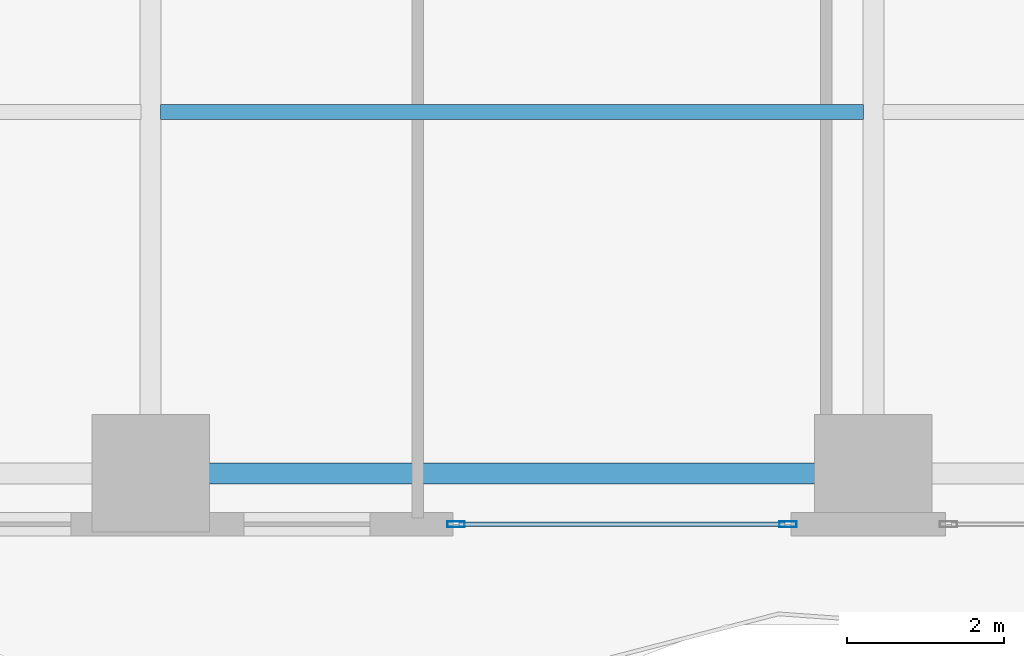
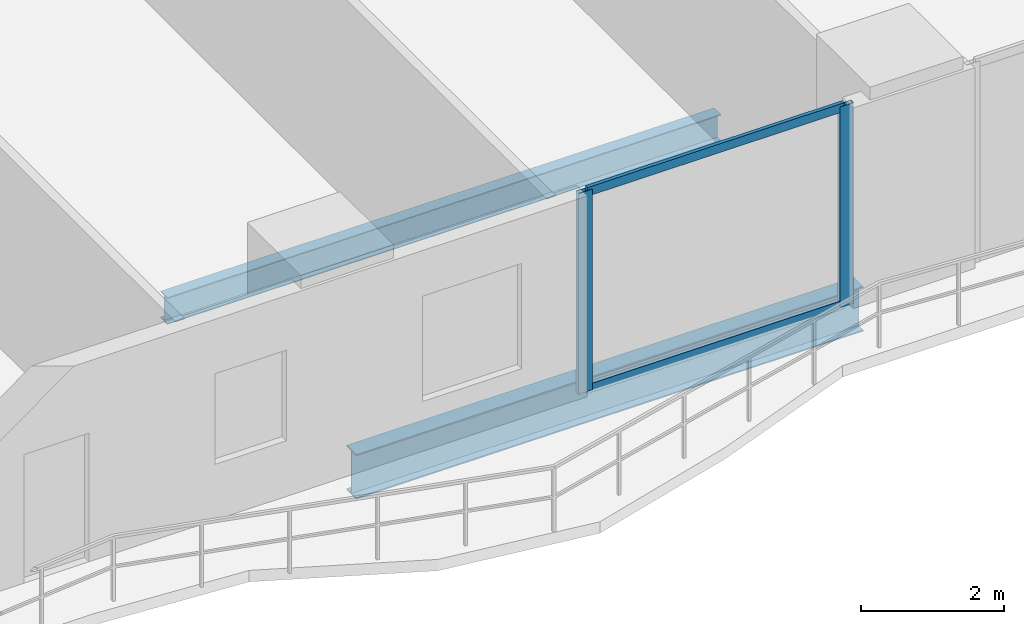
# One storey, part 4 of 28: 4 members, 2 beams, 1 element without a shape of its own.
"""IFC4 building model written with IfcOpenShell, lengths in metres."""

import ifcopenshell
import ifcopenshell.guid

model = None  # the IFC model being written
_history = None  # IfcOwnerHistory: only IFC2X3 demands one
_inside = {}  # id of a spatial element -> (the spatial element, [elements in it])
_under = {}  # id of a project, library or spatial element -> (it, [spatial elements below it])
_declared = {}  # id of a project -> (the project, [libraries it declares])
_typed = {}  # id of a type object -> (the type object, [elements of that type])
_made_of = {}  # id of a material, layer set ... -> (it, [elements and type objects made of it])


def new_model(schema):
    """Start an empty IFC model of exactly this schema.

    Asked for "IFC4X3", IfcOpenShell would pick the latest addendum, in which some entities
    have other attributes; the version numbers below select the first issue.
    IFC2X3 requires an IfcOwnerHistory on every rooted entity: one is made here for all.
    """
    global model, _history
    if schema == "IFC4X3":
        model = ifcopenshell.file(schema_version=(4, 3, 0, 0))
    else:
        model = ifcopenshell.file(schema=schema)
    _inside.clear()
    _under.clear()
    _declared.clear()
    _typed.clear()
    _made_of.clear()
    _history = None
    if model.schema == "IFC2X3":
        org = make("IfcOrganization", Name="unknown")
        user = make(
            "IfcPersonAndOrganization",
            ThePerson=make("IfcPerson", FamilyName="unknown"),
            TheOrganization=org,
        )
        app = make(
            "IfcApplication",
            ApplicationDeveloper=org,
            Version="unknown",
            ApplicationFullName="unknown",
            ApplicationIdentifier="unknown",
        )
        _history = make(
            "IfcOwnerHistory",
            OwningUser=user,
            OwningApplication=app,
            ChangeAction="ADDED",
            CreationDate=0,
        )
    return model


def make(cls, **values):
    """One entity of the class cls with the attributes given. An attribute that is None is left unset."""
    return model.create_entity(
        cls, **{name: value for name, value in values.items() if value is not None}
    )


def rooted(cls, **values):
    """An entity with a GlobalId (a new one), such as an element, a storey or a relation."""
    return make(cls, GlobalId=ifcopenshell.guid.new(), OwnerHistory=_history, **values)


def si_unit(unit_type, name, prefix=None):
    """IfcSIUnit, for example si_unit("LENGTHUNIT", "METRE", prefix="MILLI")."""
    return make("IfcSIUnit", UnitType=unit_type, Prefix=prefix, Name=name)


def assignment(units):
    """IfcUnitAssignment: the units of a project."""
    return None if units is None else make("IfcUnitAssignment", Units=units)


def point(xyz):
    """IfcCartesianPoint."""
    return None if xyz is None else make("IfcCartesianPoint", Coordinates=xyz)


def direction(xyz):
    """IfcDirection."""
    return None if xyz is None else make("IfcDirection", DirectionRatios=xyz)


def frame(location, z_axis=None, x_axis=None):
    """IfcAxis2Placement3D, a coordinate frame: its origin and axes. An axis left out is left unset."""
    return make(
        "IfcAxis2Placement3D",
        Location=point(location),
        Axis=direction(z_axis),
        RefDirection=direction(x_axis),
    )


def frame_2d(location, x_axis=None):
    """IfcAxis2Placement2D, a coordinate frame in the plane: its origin and x axis."""
    return make(
        "IfcAxis2Placement2D", Location=point(location), RefDirection=direction(x_axis)
    )


def origin():
    """The frame at (0, 0, 0) with its axes left unset."""
    return frame((0.0, 0.0, 0.0))


def origin_2d():
    """The frame at (0, 0) in the plane with its x axis left unset."""
    return frame_2d((0.0, 0.0))


def place(relative_to, where):
    """IfcLocalPlacement: puts the frame where relative to a parent placement (None: the world)."""
    return make(
        "IfcLocalPlacement", PlacementRelTo=relative_to, RelativePlacement=where
    )


def context(
    kind, dimensions, precision=None, world=None, true_north=None, identifier=None
):
    """IfcGeometricRepresentationContext, for example the 3D "Model" context."""
    return make(
        "IfcGeometricRepresentationContext",
        ContextIdentifier=identifier,
        ContextType=kind,
        CoordinateSpaceDimension=dimensions,
        Precision=precision,
        WorldCoordinateSystem=world,
        TrueNorth=true_north,
    )


def subcontext(parent, identifier, kind, view, scale=None):
    """IfcGeometricRepresentationSubContext, for example "Body" below "Model"."""
    return make(
        "IfcGeometricRepresentationSubContext",
        ContextIdentifier=identifier,
        ContextType=kind,
        ParentContext=parent,
        TargetScale=scale,
        TargetView=view,
    )


def project(units=None, contexts=None):
    """IfcProject with its units and contexts."""
    return rooted(
        "IfcProject",
        Name="project",
        RepresentationContexts=contexts,
        UnitsInContext=assignment(units),
    )


def spatial(cls, under=None, at=None, **own):
    """A site, building, storey or space (cls), placed at a placement, below another one or the project."""
    s = rooted(cls, ObjectPlacement=at, **own)
    if under is not None:
        _under.setdefault(under.id(), (under, []))[1].append(s)
    return s


def profile(cls, at=None, kind="AREA", **sizes):
    """A parametric profile (cls). Its sizes go by their IFC names, for example OverallWidth=200.0."""
    return make(cls, ProfileType=kind, Position=at, **sizes)


def hollow_rectangle(**sizes):
    """IfcRectangleHollowProfileDef."""
    return profile("IfcRectangleHollowProfileDef", **sizes)


def i_section(**sizes):
    """IfcIShapeProfileDef."""
    return profile("IfcIShapeProfileDef", **sizes)


def extrude(swept, where, along, depth):
    """IfcExtrudedAreaSolid: the profile swept, set in the frame where, extruded along a direction by depth."""
    return make(
        "IfcExtrudedAreaSolid",
        SweptArea=swept,
        Position=where,
        ExtrudedDirection=direction(along),
        Depth=depth,
    )


def shape(context_of_items, identifier, shape_type, items):
    """IfcShapeRepresentation: the items that make up one representation, for example the "Body"."""
    return make(
        "IfcShapeRepresentation",
        ContextOfItems=context_of_items,
        RepresentationIdentifier=identifier,
        RepresentationType=shape_type,
        Items=items,
    )


def material(Name=None, Category=None):
    """IfcMaterial."""
    return make("IfcMaterial", Name=Name, Category=Category)


def layer(
    of_material, thickness, ventilated=None, Name=None, Category=None, Priority=None
):
    """IfcMaterialLayer: one layer of a wall or slab, of a material (None: an air gap)."""
    return make(
        "IfcMaterialLayer",
        Material=of_material,
        LayerThickness=thickness,
        IsVentilated=ventilated,
        Name=Name,
        Category=Category,
        Priority=Priority,
    )


def layer_set(layers, Name=None):
    """IfcMaterialLayerSet."""
    return make("IfcMaterialLayerSet", MaterialLayers=layers, LayerSetName=Name)


def material_profile(
    of_material, cross_section, Name=None, Category=None, Priority=None
):
    """IfcMaterialProfile: a cross section and its material."""
    return make(
        "IfcMaterialProfile",
        Name=Name,
        Material=of_material,
        Profile=cross_section,
        Priority=Priority,
        Category=Category,
    )


def profile_set(profiles, Name=None, composite=None):
    """IfcMaterialProfileSet."""
    return make(
        "IfcMaterialProfileSet",
        Name=Name,
        MaterialProfiles=profiles,
        CompositeProfile=composite,
    )


def made_of(thing, what):
    """Note that an element or type object is made of a material, layer set ...; save() writes the relation."""
    if what is not None:
        _made_of.setdefault(what.id(), (what, []))[1].append(thing)
    return thing


def type_object(cls, material=None, **own):
    """A type object (cls), such as IfcWallType, which elements share."""
    return made_of(rooted(cls, **own), material)


def element(
    cls,
    number,
    at=None,
    inside=None,
    cuts=None,
    type_object=None,
    material=None,
    context=None,
    identifier="Body",
    shape_type=None,
    held_by="IfcProductDefinitionShape",
    body=None,
    shapes=None,
    **own,
):
    """One element of the class cls, such as IfcWall. Its Tag is "e" and its number.

    at: its placement. inside: the storey or other place that contains it. cuts: it is an
    opening in that element (IfcRelVoidsElement). A single representation is given by context,
    identifier, shape_type and body (its items); several are given by shapes. held_by: the class
    of the entity that holds the representations. save() writes the other relations.
    """
    e = rooted(cls, Tag="e%d" % number, ObjectPlacement=at, **own)
    if body is not None:
        shapes = [shape(context, identifier, shape_type, body)]
    if shapes is not None:
        e.Representation = make(held_by, Representations=shapes)
    if inside is not None:
        _inside.setdefault(inside.id(), (inside, []))[1].append(e)
    if cuts is not None:
        rooted(
            "IfcRelVoidsElement", RelatingBuildingElement=cuts, RelatedOpeningElement=e
        )
    if type_object is not None:
        _typed.setdefault(type_object.id(), (type_object, []))[1].append(e)
    return made_of(e, material)


def aggregate(whole, parts):
    """IfcRelAggregates: a whole, such as a stair, and the parts it consists of."""
    return rooted("IfcRelAggregates", RelatingObject=whole, RelatedObjects=parts)


def save(model, path):
    """Write the relations noted so far, then the file.

    IfcRelAggregates (storeys below a building ...), IfcRelContainedInSpatialStructure (elements
    in a storey), IfcRelDefinesByType, IfcRelAssociatesMaterial and IfcRelDeclares: one each for
    every whole, place, type object, material and project.
    """
    for whole, parts in _under.values():
        aggregate(whole, parts)
    for where, things in _inside.values():
        rooted(
            "IfcRelContainedInSpatialStructure",
            RelatedElements=things,
            RelatingStructure=where,
        )
    for kind, things in _typed.values():
        rooted("IfcRelDefinesByType", RelatedObjects=things, RelatingType=kind)
    for what, things in _made_of.values():
        rooted("IfcRelAssociatesMaterial", RelatedObjects=things, RelatingMaterial=what)
    for by, libraries in _declared.values():
        rooted("IfcRelDeclares", RelatingContext=by, RelatedDefinitions=libraries)
    model.write(path)


model = new_model("IFC4")

# Units and contexts
model_context = context("Model", 3, precision=1e-05, world=origin(), true_north=direction((0.0, 1.0)))
body_context = subcontext(model_context, "Body", "Model", "MODEL_VIEW")
ifc_project = project(units=[si_unit("LENGTHUNIT", "METRE"), si_unit("AREAUNIT", "SQUARE_METRE"), si_unit("VOLUMEUNIT", "CUBIC_METRE"), si_unit("PLANEANGLEUNIT", "RADIAN"), si_unit("MASSUNIT", "GRAM", prefix="KILO")], contexts=[model_context])

# Site, building, storey
site_placement = place(None, origin())
site = spatial("IfcSite", under=ifc_project, at=site_placement, CompositionType="ELEMENT")
building_placement = place(site_placement, origin())
building = spatial("IfcBuilding", under=site, at=building_placement, Name="Zuhayl Quay Hotel", CompositionType="ELEMENT")
storey_placement = place(building_placement, frame((0.0, 0.0, 34.89990234375)))
storey = spatial("IfcBuildingStorey", under=building, at=storey_placement, Name="L07", CompositionType="ELEMENT", Elevation=34.89990234375)

# Beams
ifc_material_1 = material(Name="Steel ASTM A992 Grade 50", Category="steel")
ifc_material_profile_1 = material_profile(ifc_material_1, i_section(OverallWidth=0.26708984375, OverallDepth=0.761962890625, WebThickness=0.014404296875, FlangeThickness=0.021484375, at=origin_2d()), Name="W30X116")
ifc_profile_set_1 = profile_set([ifc_material_profile_1], Name="Steel ASTM A992 Grade 50")
beam_type_1 = type_object("IfcBeamType", Name="BM_B1_W30X116", PredefinedType="BEAM", material=ifc_profile_set_1)
beam_1_placement = place(storey_placement, frame((-4.10009765625, -22.449951171875, -0.600830078125), z_axis=(1.0, 0.0, 0.0), x_axis=(0.0, 1.0, 0.0)))
element("IfcBeam", 1, at=beam_1_placement, inside=storey, type_object=beam_type_1, Name="L07 Floor Beam RG_L07_02", PredefinedType="BEAM", context=body_context, shape_type="SweptSolid", body=[
    extrude(i_section(OverallWidth=0.26708984375, OverallDepth=0.761962890625, WebThickness=0.014404296875, FlangeThickness=0.021484375, at=origin_2d()), origin(), (0.0, 0.0, 1.0), 8.2001953125),
])
ifc_material_profile_2 = material_profile(ifc_material_1, i_section(OverallWidth=0.18994140625, OverallDepth=0.45703125, WebThickness=0.009033203125, FlangeThickness=0.014404296875, at=origin_2d()), Name="W18X50")
ifc_profile_set_2 = profile_set([ifc_material_profile_2], Name="Steel ASTM A992 Grade 50")
beam_type_2 = type_object("IfcBeamType", Name="BM_J2_W18X50", PredefinedType="JOIST", material=ifc_profile_set_2)
beam_2_placement = place(storey_placement, frame((-4.474609375, -17.85009765625, -0.448486328125), z_axis=(1.0, 0.0, 0.0), x_axis=(0.0, 1.0, 0.0)))
element("IfcBeam", 2, at=beam_2_placement, inside=storey, type_object=beam_type_2, Name="L07 Floor Beam FJ_L07_3_2", PredefinedType="JOIST", context=body_context, shape_type="SweptSolid", body=[
    extrude(i_section(OverallWidth=0.18994140625, OverallDepth=0.45703125, WebThickness=0.009033203125, FlangeThickness=0.014404296875, at=origin_2d()), origin(), (0.0, 0.0, 1.0), 8.94921875),
])

# Curtain wall, members
ifc_material_2 = material(Name="Anodised Aluminium 6063-T6", Category="aluminium")
ifc_layer = layer(ifc_material_2, 0.18994140625, Name="Anodised Aluminium 6063-T6", Category="aluminium")
ifc_layer_set = layer_set([ifc_layer], Name="Anodised Aluminium 6063-T6")
curtain_wall_type = type_object("IfcCurtainWallType", Name="CW_SYS_Z1", PredefinedType="USERDEFINED", material=ifc_layer_set)
curtain_wall_placement = place(storey_placement, origin())
curtain_wall = element("IfcCurtainWall", 3, at=curtain_wall_placement, inside=storey, type_object=curtain_wall_type, Name="L07 Curtain Wall ENV_L07_S_CW4", ObjectType="UNITISED CURTAIN WALL", PredefinedType="USERDEFINED")
ifc_material_3 = material(Name="Black-anodised aluminium 6063-T6", Category="aluminium")
ifc_material_profile_3 = material_profile(ifc_material_3, hollow_rectangle(XDim=0.074951171875, YDim=0.219970703125, WallThickness=0.00390625, at=origin_2d()), Name="ALU220X75")
ifc_profile_set_3 = profile_set([ifc_material_profile_3], Name="Black-anodised aluminium 6063-T6")
member_type_1 = type_object("IfcMemberType", Name="MB_CW_MUL_220", PredefinedType="MULLION", material=ifc_profile_set_3)
member_1_placement = place(storey_placement, frame((3.512451171875, -23.10009765625, 0.0), z_axis=(0.0, 0.0, 1.0), x_axis=(0.0, -1.0, 0.0)))
member_1 = element("IfcMember", 4, at=member_1_placement, type_object=member_type_1, Name="CW-Z1 mullion 1", PredefinedType="MULLION", context=body_context, shape_type="SweptSolid", body=[
    extrude(hollow_rectangle(XDim=0.074951171875, YDim=0.219970703125, WallThickness=0.00390625, at=origin_2d()), origin(), (0.0, 0.0, 1.0), 3.43017578125),
])
member_2_placement = place(storey_placement, frame((-0.71240234375, -23.10009765625, 0.0), z_axis=(0.0, 0.0, 1.0), x_axis=(0.0, -1.0, 0.0)))
member_2 = element("IfcMember", 5, at=member_2_placement, type_object=member_type_1, Name="CW-Z1 mullion 2", PredefinedType="MULLION", context=body_context, shape_type="SweptSolid", body=[
    extrude(hollow_rectangle(XDim=0.074951171875, YDim=0.219970703125, WallThickness=0.00390625, at=origin_2d()), origin(), (0.0, 0.0, 1.0), 3.43017578125),
])
ifc_material_profile_4 = material_profile(ifc_material_3, hollow_rectangle(XDim=0.06005859375, YDim=0.14990234375, WallThickness=0.00341796875, at=origin_2d()), Name="ALU150X60")
ifc_profile_set_4 = profile_set([ifc_material_profile_4], Name="Black-anodised aluminium 6063-T6")
member_type_2 = type_object("IfcMemberType", Name="MB_CW_TRN_150", PredefinedType="USERDEFINED", material=ifc_profile_set_4)
member_3_placement = place(storey_placement, frame((3.47509765625, -23.10009765625, 0.030029296875), z_axis=(-1.0, 0.0, 0.0), x_axis=(0.0, -1.0, 0.0)))
member_3 = element("IfcMember", 6, at=member_3_placement, type_object=member_type_2, Name="CW-Z1 transom 1.1", ObjectType="TRANSOM", PredefinedType="USERDEFINED", context=body_context, shape_type="SweptSolid", body=[
    extrude(hollow_rectangle(XDim=0.06005859375, YDim=0.14990234375, WallThickness=0.00341796875, at=origin_2d()), origin(), (0.0, 0.0, 1.0), 4.150146484375),
])
member_4_placement = place(storey_placement, frame((3.47509765625, -23.10009765625, 3.400146484375), z_axis=(-1.0, 0.0, 0.0), x_axis=(0.0, -1.0, 0.0)))
member_4 = element("IfcMember", 7, at=member_4_placement, type_object=member_type_2, Name="CW-Z1 transom 1.2", ObjectType="TRANSOM", PredefinedType="USERDEFINED", context=body_context, shape_type="SweptSolid", body=[
    extrude(hollow_rectangle(XDim=0.06005859375, YDim=0.14990234375, WallThickness=0.00341796875, at=origin_2d()), origin(), (0.0, 0.0, 1.0), 4.150146484375),
])
aggregate(curtain_wall, [member_1, member_2, member_3, member_4])

save(model, "model.ifc")
